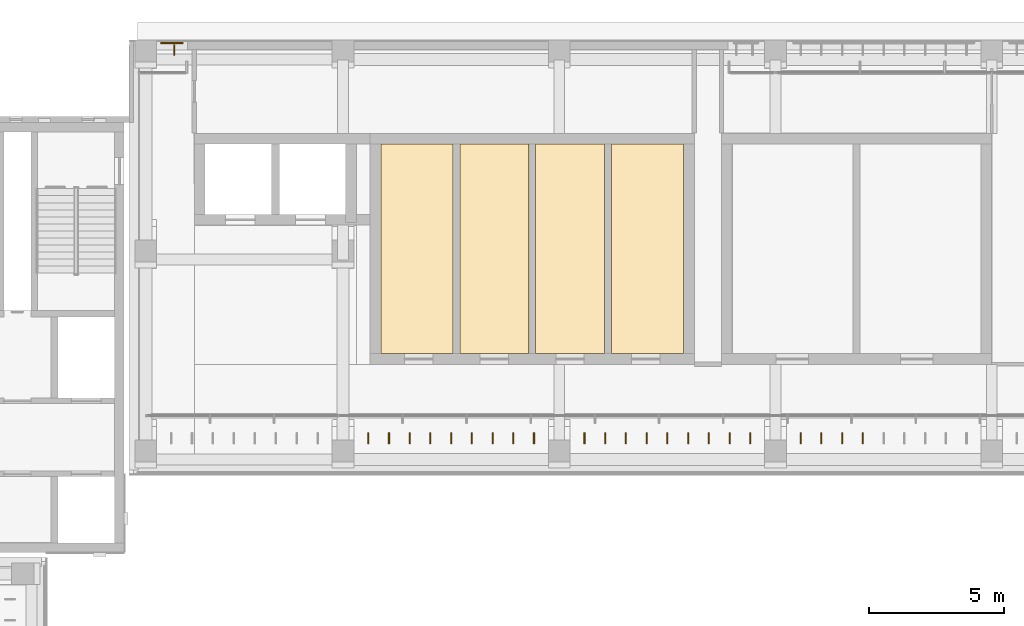
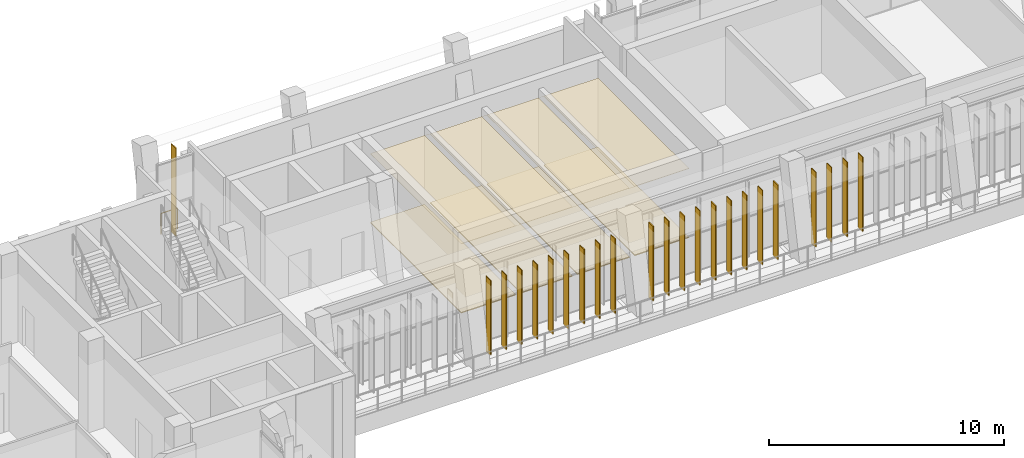
# One storey, part 78 of 89: 23 shading devices, 8 coverings, 1 railing.
"""IFC4 building model written with IfcOpenShell, lengths in metres."""

import ifcopenshell
import ifcopenshell.guid

model = None  # the IFC model being written
_history = None  # IfcOwnerHistory: only IFC2X3 demands one
_inside = {}  # id of a spatial element -> (the spatial element, [elements in it])
_under = {}  # id of a project, library or spatial element -> (it, [spatial elements below it])
_declared = {}  # id of a project -> (the project, [libraries it declares])
_typed = {}  # id of a type object -> (the type object, [elements of that type])
_made_of = {}  # id of a material, layer set ... -> (it, [elements and type objects made of it])


def new_model(schema):
    """Start an empty IFC model of exactly this schema.

    Asked for "IFC4X3", IfcOpenShell would pick the latest addendum, in which some entities
    have other attributes; the version numbers below select the first issue.
    IFC2X3 requires an IfcOwnerHistory on every rooted entity: one is made here for all.
    """
    global model, _history
    if schema == "IFC4X3":
        model = ifcopenshell.file(schema_version=(4, 3, 0, 0))
    else:
        model = ifcopenshell.file(schema=schema)
    _inside.clear()
    _under.clear()
    _declared.clear()
    _typed.clear()
    _made_of.clear()
    _history = None
    if model.schema == "IFC2X3":
        org = make("IfcOrganization", Name="unknown")
        user = make(
            "IfcPersonAndOrganization",
            ThePerson=make("IfcPerson", FamilyName="unknown"),
            TheOrganization=org,
        )
        app = make(
            "IfcApplication",
            ApplicationDeveloper=org,
            Version="unknown",
            ApplicationFullName="unknown",
            ApplicationIdentifier="unknown",
        )
        _history = make(
            "IfcOwnerHistory",
            OwningUser=user,
            OwningApplication=app,
            ChangeAction="ADDED",
            CreationDate=0,
        )
    return model


def make(cls, **values):
    """One entity of the class cls with the attributes given. An attribute that is None is left unset."""
    return model.create_entity(
        cls, **{name: value for name, value in values.items() if value is not None}
    )


def rooted(cls, **values):
    """An entity with a GlobalId (a new one), such as an element, a storey or a relation."""
    return make(cls, GlobalId=ifcopenshell.guid.new(), OwnerHistory=_history, **values)


def si_unit(unit_type, name, prefix=None):
    """IfcSIUnit, for example si_unit("LENGTHUNIT", "METRE", prefix="MILLI")."""
    return make("IfcSIUnit", UnitType=unit_type, Prefix=prefix, Name=name)


def assignment(units):
    """IfcUnitAssignment: the units of a project."""
    return None if units is None else make("IfcUnitAssignment", Units=units)


def point(xyz):
    """IfcCartesianPoint."""
    return None if xyz is None else make("IfcCartesianPoint", Coordinates=xyz)


def direction(xyz):
    """IfcDirection."""
    return None if xyz is None else make("IfcDirection", DirectionRatios=xyz)


def frame(location, z_axis=None, x_axis=None):
    """IfcAxis2Placement3D, a coordinate frame: its origin and axes. An axis left out is left unset."""
    return make(
        "IfcAxis2Placement3D",
        Location=point(location),
        Axis=direction(z_axis),
        RefDirection=direction(x_axis),
    )


def frame_2d(location, x_axis=None):
    """IfcAxis2Placement2D, a coordinate frame in the plane: its origin and x axis."""
    return make(
        "IfcAxis2Placement2D", Location=point(location), RefDirection=direction(x_axis)
    )


def origin():
    """The frame at (0, 0, 0) with its axes left unset."""
    return frame((0.0, 0.0, 0.0))


def origin_2d():
    """The frame at (0, 0) in the plane with its x axis left unset."""
    return frame_2d((0.0, 0.0))


def place(relative_to, where):
    """IfcLocalPlacement: puts the frame where relative to a parent placement (None: the world)."""
    return make(
        "IfcLocalPlacement", PlacementRelTo=relative_to, RelativePlacement=where
    )


def context(
    kind, dimensions, precision=None, world=None, true_north=None, identifier=None
):
    """IfcGeometricRepresentationContext, for example the 3D "Model" context."""
    return make(
        "IfcGeometricRepresentationContext",
        ContextIdentifier=identifier,
        ContextType=kind,
        CoordinateSpaceDimension=dimensions,
        Precision=precision,
        WorldCoordinateSystem=world,
        TrueNorth=true_north,
    )


def subcontext(parent, identifier, kind, view, scale=None):
    """IfcGeometricRepresentationSubContext, for example "Body" below "Model"."""
    return make(
        "IfcGeometricRepresentationSubContext",
        ContextIdentifier=identifier,
        ContextType=kind,
        ParentContext=parent,
        TargetScale=scale,
        TargetView=view,
    )


def project(units=None, contexts=None):
    """IfcProject with its units and contexts."""
    return rooted(
        "IfcProject",
        Name="project",
        RepresentationContexts=contexts,
        UnitsInContext=assignment(units),
    )


def spatial(cls, under=None, at=None, **own):
    """A site, building, storey or space (cls), placed at a placement, below another one or the project."""
    s = rooted(cls, ObjectPlacement=at, **own)
    if under is not None:
        _under.setdefault(under.id(), (under, []))[1].append(s)
    return s


def polyline(points):
    """IfcPolyline through the points."""
    return make("IfcPolyline", Points=[point(p) for p in points])


def profile(cls, at=None, kind="AREA", **sizes):
    """A parametric profile (cls). Its sizes go by their IFC names, for example OverallWidth=200.0."""
    return make(cls, ProfileType=kind, Position=at, **sizes)


def rectangle(**sizes):
    """IfcRectangleProfileDef."""
    return profile("IfcRectangleProfileDef", **sizes)


def circle(**sizes):
    """IfcCircleProfileDef."""
    return profile("IfcCircleProfileDef", **sizes)


def outline(outer, holes=None, kind="AREA"):
    """IfcArbitraryClosedProfileDef: a profile drawn as a closed curve; with holes, ...WithVoids."""
    if holes is None:
        return make("IfcArbitraryClosedProfileDef", ProfileType=kind, OuterCurve=outer)
    return make(
        "IfcArbitraryProfileDefWithVoids",
        ProfileType=kind,
        OuterCurve=outer,
        InnerCurves=holes,
    )


def extrude(swept, where, along, depth):
    """IfcExtrudedAreaSolid: the profile swept, set in the frame where, extruded along a direction by depth."""
    return make(
        "IfcExtrudedAreaSolid",
        SweptArea=swept,
        Position=where,
        ExtrudedDirection=direction(along),
        Depth=depth,
    )


def shape(context_of_items, identifier, shape_type, items):
    """IfcShapeRepresentation: the items that make up one representation, for example the "Body"."""
    return make(
        "IfcShapeRepresentation",
        ContextOfItems=context_of_items,
        RepresentationIdentifier=identifier,
        RepresentationType=shape_type,
        Items=items,
    )


def material(Name=None, Category=None):
    """IfcMaterial."""
    return make("IfcMaterial", Name=Name, Category=Category)


def layer(
    of_material, thickness, ventilated=None, Name=None, Category=None, Priority=None
):
    """IfcMaterialLayer: one layer of a wall or slab, of a material (None: an air gap)."""
    return make(
        "IfcMaterialLayer",
        Material=of_material,
        LayerThickness=thickness,
        IsVentilated=ventilated,
        Name=Name,
        Category=Category,
        Priority=Priority,
    )


def layer_set(layers, Name=None):
    """IfcMaterialLayerSet."""
    return make("IfcMaterialLayerSet", MaterialLayers=layers, LayerSetName=Name)


def made_of(thing, what):
    """Note that an element or type object is made of a material, layer set ...; save() writes the relation."""
    if what is not None:
        _made_of.setdefault(what.id(), (what, []))[1].append(thing)
    return thing


def type_object(cls, material=None, **own):
    """A type object (cls), such as IfcWallType, which elements share."""
    return made_of(rooted(cls, **own), material)


def element(
    cls,
    number,
    at=None,
    inside=None,
    cuts=None,
    type_object=None,
    material=None,
    context=None,
    identifier="Body",
    shape_type=None,
    held_by="IfcProductDefinitionShape",
    body=None,
    shapes=None,
    **own,
):
    """One element of the class cls, such as IfcWall. Its Tag is "e" and its number.

    at: its placement. inside: the storey or other place that contains it. cuts: it is an
    opening in that element (IfcRelVoidsElement). A single representation is given by context,
    identifier, shape_type and body (its items); several are given by shapes. held_by: the class
    of the entity that holds the representations. save() writes the other relations.
    """
    e = rooted(cls, Tag="e%d" % number, ObjectPlacement=at, **own)
    if body is not None:
        shapes = [shape(context, identifier, shape_type, body)]
    if shapes is not None:
        e.Representation = make(held_by, Representations=shapes)
    if inside is not None:
        _inside.setdefault(inside.id(), (inside, []))[1].append(e)
    if cuts is not None:
        rooted(
            "IfcRelVoidsElement", RelatingBuildingElement=cuts, RelatedOpeningElement=e
        )
    if type_object is not None:
        _typed.setdefault(type_object.id(), (type_object, []))[1].append(e)
    return made_of(e, material)


def aggregate(whole, parts):
    """IfcRelAggregates: a whole, such as a stair, and the parts it consists of."""
    return rooted("IfcRelAggregates", RelatingObject=whole, RelatedObjects=parts)


def save(model, path):
    """Write the relations noted so far, then the file.

    IfcRelAggregates (storeys below a building ...), IfcRelContainedInSpatialStructure (elements
    in a storey), IfcRelDefinesByType, IfcRelAssociatesMaterial and IfcRelDeclares: one each for
    every whole, place, type object, material and project.
    """
    for whole, parts in _under.values():
        aggregate(whole, parts)
    for where, things in _inside.values():
        rooted(
            "IfcRelContainedInSpatialStructure",
            RelatedElements=things,
            RelatingStructure=where,
        )
    for kind, things in _typed.values():
        rooted("IfcRelDefinesByType", RelatedObjects=things, RelatingType=kind)
    for what, things in _made_of.values():
        rooted("IfcRelAssociatesMaterial", RelatedObjects=things, RelatingMaterial=what)
    for by, libraries in _declared.values():
        rooted("IfcRelDeclares", RelatingContext=by, RelatedDefinitions=libraries)
    model.write(path)


model = new_model("IFC4")

# Units and contexts
model_context = context("Model", 3, precision=1e-05, world=origin(), true_north=direction((0.0, 1.0)))
body_context = subcontext(model_context, "Body", "Model", "MODEL_VIEW")
ifc_project = project(units=[si_unit("LENGTHUNIT", "METRE"), si_unit("AREAUNIT", "SQUARE_METRE"), si_unit("VOLUMEUNIT", "CUBIC_METRE"), si_unit("PLANEANGLEUNIT", "RADIAN"), si_unit("MASSUNIT", "GRAM", prefix="KILO")], contexts=[model_context])

# Site, building, storey
site_placement = place(None, origin())
site = spatial("IfcSite", under=ifc_project, at=site_placement, CompositionType="ELEMENT")
building_placement = place(site_placement, origin())
building = spatial("IfcBuilding", under=site, at=building_placement, Name="Lantern Court Media Centre", CompositionType="ELEMENT")
storey_placement = place(building_placement, frame((0.0, 0.0, 14.39990234375)))
storey = spatial("IfcBuildingStorey", under=building, at=storey_placement, Name="L03", CompositionType="ELEMENT", Elevation=14.39990234375)

# Coverings
ifc_material_1 = material(Name="Carpet")
ifc_layer_1 = layer(ifc_material_1, 0.050048828125)
ifc_layer_set_1 = layer_set([ifc_layer_1], Name="Carpet")
covering_type_1 = type_object("IfcCoveringType", Name="Carpet floor finish", PredefinedType="FLOORING", material=ifc_layer_set_1)
covering_1_placement = place(storey_placement, origin())
element("IfcCovering", 1, at=covering_1_placement, inside=storey, type_object=covering_type_1, Name="Editing Suite 15 floor finish", PredefinedType="FLOORING", context=body_context, shape_type="SweptSolid", body=[
    extrude(outline(polyline([(33.405029296875, 111.195068359375), (36.070068359375, 111.195068359375), (36.070068359375, 103.455078125), (33.405029296875, 103.455078125), (33.405029296875, 111.195068359375)])), origin(), (0.0, 0.0, 1.0), 0.050048828125),
])
covering_2_placement = place(storey_placement, origin())
element("IfcCovering", 2, at=covering_2_placement, inside=storey, type_object=covering_type_1, Name="Editing Suite 16 floor finish", PredefinedType="FLOORING", context=body_context, shape_type="SweptSolid", body=[
    extrude(outline(polyline([(36.330078125, 111.195068359375), (38.8701171875, 111.195068359375), (38.8701171875, 103.455078125), (36.330078125, 103.455078125), (36.330078125, 111.195068359375)])), origin(), (0.0, 0.0, 1.0), 0.050048828125),
])
covering_3_placement = place(storey_placement, origin())
element("IfcCovering", 3, at=covering_3_placement, inside=storey, type_object=covering_type_1, Name="Editing Suite 17 floor finish", PredefinedType="FLOORING", context=body_context, shape_type="SweptSolid", body=[
    extrude(outline(polyline([(39.1298828125, 111.195068359375), (41.669921875, 111.195068359375), (41.669921875, 103.455078125), (39.1298828125, 103.455078125), (39.1298828125, 111.195068359375)])), origin(), (0.0, 0.0, 1.0), 0.050048828125),
])
covering_4_placement = place(storey_placement, origin())
element("IfcCovering", 4, at=covering_4_placement, inside=storey, type_object=covering_type_1, Name="Editing Suite 18 floor finish", PredefinedType="FLOORING", context=body_context, shape_type="SweptSolid", body=[
    extrude(outline(polyline([(41.929931640625, 111.195068359375), (44.594970703125, 111.195068359375), (44.594970703125, 103.455078125), (41.929931640625, 103.455078125), (41.929931640625, 111.195068359375)])), origin(), (0.0, 0.0, 1.0), 0.050048828125),
])

# Railing
ifc_material_2 = material(Name="Powder-coated steel", Category="steel")
railing_type = type_object("IfcRailingType", Name="Floor edge guard 1100", PredefinedType="GUARDRAIL", material=ifc_material_2)
railing_placement = place(storey_placement, frame((25.27099609375, 114.93994140625, 0.0)))
element("IfcRailing", 5, at=railing_placement, inside=storey, type_object=railing_type, Name="L03 edge guard 82", PredefinedType="GUARDRAIL", context=body_context, shape_type="SweptSolid", body=[
    extrude(circle(Radius=0.02392578125, at=origin_2d()), frame((0.0, 0.0, 1.076171875), z_axis=(1.0, 0.0, 0.0), x_axis=(0.0, 1.0, 0.0)), (0.0, 0.0, 1.0), 0.799072265625),
    extrude(circle(Radius=0.02099609375, at=origin_2d()), origin(), (0.0, 0.0, 1.0), 1.052001953125),
    extrude(circle(Radius=0.02099609375, at=origin_2d()), frame((0.799072265625, 0.0, 0.0)), (0.0, 0.0, 1.0), 1.052001953125),
])

# Coverings
ifc_material_3 = material(Name="Mineral fibre ceiling tile")
ifc_layer_2 = layer(ifc_material_3, 0.02001953125)
ifc_layer_set_2 = layer_set([ifc_layer_2], Name="Mineral fibre ceiling tile")
covering_type_2 = type_object("IfcCoveringType", Name="Suspended ceiling tile", PredefinedType="CEILING", material=ifc_layer_set_2)
covering_5_placement = place(storey_placement, frame((0.0, 0.0, 3.60009765625)))
element("IfcCovering", 6, at=covering_5_placement, inside=storey, type_object=covering_type_2, Name="Editing Suite 15 ceiling", PredefinedType="CEILING", context=body_context, shape_type="SweptSolid", body=[
    extrude(outline(polyline([(36.199951171875, 103.450439453125), (33.400390625, 103.450439453125), (33.400390625, 111.199462890625), (36.199951171875, 111.199462890625), (36.074462890625, 111.195068359375), (36.074462890625, 103.455078125), (36.199951171875, 103.450439453125)])), origin(), (0.0, 0.0, 1.0), 0.02001953125),
])
covering_6_placement = place(storey_placement, frame((0.0, 0.0, 3.60009765625)))
element("IfcCovering", 7, at=covering_6_placement, inside=storey, type_object=covering_type_2, Name="Editing Suite 16 ceiling", PredefinedType="CEILING", context=body_context, shape_type="SweptSolid", body=[
    extrude(outline(polyline([(39.0, 103.450439453125), (36.199951171875, 103.450439453125), (36.325439453125, 103.455078125), (36.325439453125, 111.195068359375), (36.199951171875, 111.199462890625), (39.0, 111.199462890625), (38.87451171875, 111.195068359375), (38.87451171875, 103.455078125), (39.0, 103.450439453125)])), origin(), (0.0, 0.0, 1.0), 0.02001953125),
])
covering_7_placement = place(storey_placement, frame((0.0, 0.0, 3.60009765625)))
element("IfcCovering", 8, at=covering_7_placement, inside=storey, type_object=covering_type_2, Name="Editing Suite 17 ceiling", PredefinedType="CEILING", context=body_context, shape_type="SweptSolid", body=[
    extrude(outline(polyline([(41.800048828125, 103.450439453125), (39.0, 103.450439453125), (39.12548828125, 103.455078125), (39.12548828125, 111.195068359375), (39.0, 111.199462890625), (41.800048828125, 111.199462890625), (41.674560546875, 111.195068359375), (41.674560546875, 103.455078125), (41.800048828125, 103.450439453125)])), origin(), (0.0, 0.0, 1.0), 0.02001953125),
])
covering_8_placement = place(storey_placement, frame((0.0, 0.0, 3.60009765625)))
element("IfcCovering", 9, at=covering_8_placement, inside=storey, type_object=covering_type_2, Name="Editing Suite 18 ceiling", PredefinedType="CEILING", context=body_context, shape_type="SweptSolid", body=[
    extrude(outline(polyline([(41.800048828125, 111.199462890625), (44.599609375, 111.199462890625), (44.599609375, 103.450439453125), (41.800048828125, 103.450439453125), (41.925537109375, 103.455078125), (41.925537109375, 111.195068359375), (41.800048828125, 111.199462890625)])), origin(), (0.0, 0.0, 1.0), 0.02001953125),
])

# Shading devices
ifc_material_4 = material(Name="Bronze anodised aluminium louvre", Category="aluminium")
ifc_layer_3 = layer(ifc_material_4, 0.0400390625)
ifc_layer_set_3 = layer_set([ifc_layer_3], Name="Bronze anodised aluminium louvre")
shading_device_type_1 = type_object("IfcShadingDeviceType", Name="Vertical louvre 40x400 full storey", PredefinedType="USERDEFINED", material=ifc_layer_set_3)
shading_device_placement = place(storey_placement, frame((25.75, 114.679931640625, 0.0), z_axis=(0.0, 0.0, 1.0), x_axis=(1.0, 0.0, 0.0)))
element("IfcShadingDevice", 10, at=shading_device_placement, inside=storey, type_object=shading_device_type_1, Name="Vertical louvre N outer L03", ObjectType="VERTICAL LOUVRE", PredefinedType="USERDEFINED", context=body_context, shape_type="SweptSolid", body=[
    extrude(rectangle(XDim=0.0400390625, YDim=0.39990234375, at=origin_2d()), origin(), (0.0, 0.0, 1.0), 4.580078125),
])
ifc_layer_4 = layer(ifc_material_4, 0.0400390625)
ifc_layer_set_4 = layer_set([ifc_layer_4], Name="Bronze anodised aluminium louvre")
shading_device_type_2 = type_object("IfcShadingDeviceType", Name="Vertical louvre 40x400 under beam", PredefinedType="USERDEFINED", material=ifc_layer_set_4)
for number, where, z_axis, x_axis, name in (
    (11, (32.933349609375, 100.320068359375, 0.000244140625), (0.0, 0.0, 1.0), (1.0, 0.0, 0.0), "Vertical louvre N inner L03"),
    (12, (33.699951171875, 100.320068359375, 0.000244140625), (0.0, 0.0, 1.0), (1.0, 0.0, 0.0), "Vertical louvre N inner L03"),
    (13, (34.466552734375, 100.320068359375, 0.000244140625), (0.0, 0.0, 1.0), (1.0, 0.0, 0.0), "Vertical louvre N inner L03"),
    (14, (35.2333984375, 100.320068359375, 0.000244140625), (0.0, 0.0, 1.0), (1.0, 0.0, 0.0), "Vertical louvre N inner L03"),
    (15, (36.0, 100.320068359375, 0.000244140625), (0.0, 0.0, 1.0), (1.0, 0.0, 0.0), "Vertical louvre N inner L03"),
    (16, (36.7666015625, 100.320068359375, 0.000244140625), (0.0, 0.0, 1.0), (1.0, 0.0, 0.0), "Vertical louvre N inner L03"),
    (17, (37.533447265625, 100.320068359375, 0.000244140625), (0.0, 0.0, 1.0), (1.0, 0.0, 0.0), "Vertical louvre N inner L03"),
    (18, (38.300048828125, 100.320068359375, 0.000244140625), (0.0, 0.0, 1.0), (1.0, 0.0, 0.0), "Vertical louvre N inner L03"),
    (19, (39.066650390625, 100.320068359375, 0.000244140625), (0.0, 0.0, 1.0), (1.0, 0.0, 0.0), "Vertical louvre N inner L03"),
    (20, (40.933349609375, 100.320068359375, 0.000244140625), (0.0, 0.0, 1.0), (1.0, 0.0, 0.0), "Vertical louvre N inner L03"),
    (21, (41.699951171875, 100.320068359375, 0.000244140625), (0.0, 0.0, 1.0), (1.0, 0.0, 0.0), "Vertical louvre N inner L03"),
    (22, (42.466552734375, 100.320068359375, 0.000244140625), (0.0, 0.0, 1.0), (1.0, 0.0, 0.0), "Vertical louvre N inner L03"),
    (23, (43.2333984375, 100.320068359375, 0.000244140625), (0.0, 0.0, 1.0), (1.0, 0.0, 0.0), "Vertical louvre N inner L03"),
    (24, (44.0, 100.320068359375, 0.000244140625), (0.0, 0.0, 1.0), (1.0, 0.0, 0.0), "Vertical louvre N inner L03"),
    (25, (44.7666015625, 100.320068359375, 0.000244140625), (0.0, 0.0, 1.0), (1.0, 0.0, 0.0), "Vertical louvre N inner L03"),
    (26, (45.533447265625, 100.320068359375, 0.000244140625), (0.0, 0.0, 1.0), (1.0, 0.0, 0.0), "Vertical louvre N inner L03"),
    (27, (46.300048828125, 100.320068359375, 0.000244140625), (0.0, 0.0, 1.0), (1.0, 0.0, 0.0), "Vertical louvre N inner L03"),
    (28, (47.066650390625, 100.320068359375, 0.000244140625), (0.0, 0.0, 1.0), (1.0, 0.0, 0.0), "Vertical louvre N inner L03"),
    (29, (48.933349609375, 100.320068359375, 0.000244140625), (0.0, 0.0, 1.0), (1.0, 0.0, 0.0), "Vertical louvre N inner L03"),
    (30, (49.699951171875, 100.320068359375, 0.000244140625), (0.0, 0.0, 1.0), (1.0, 0.0, 0.0), "Vertical louvre N inner L03"),
    (31, (50.466552734375, 100.320068359375, 0.000244140625), (0.0, 0.0, 1.0), (1.0, 0.0, 0.0), "Vertical louvre N inner L03"),
    (32, (51.2333984375, 100.320068359375, 0.000244140625), (0.0, 0.0, 1.0), (1.0, 0.0, 0.0), "Vertical louvre N inner L03"),
):
    element("IfcShadingDevice", number, at=place(storey_placement, frame(where, z_axis=z_axis, x_axis=x_axis)), inside=storey, type_object=shading_device_type_2, Name=name, ObjectType="VERTICAL LOUVRE", PredefinedType="USERDEFINED", context=body_context, shape_type="SweptSolid", body=[
        extrude(rectangle(XDim=0.0400390625, YDim=0.39990234375, at=origin_2d()), origin(), (0.0, 0.0, 1.0), 3.89990234375),
    ])

save(model, "model.ifc")
